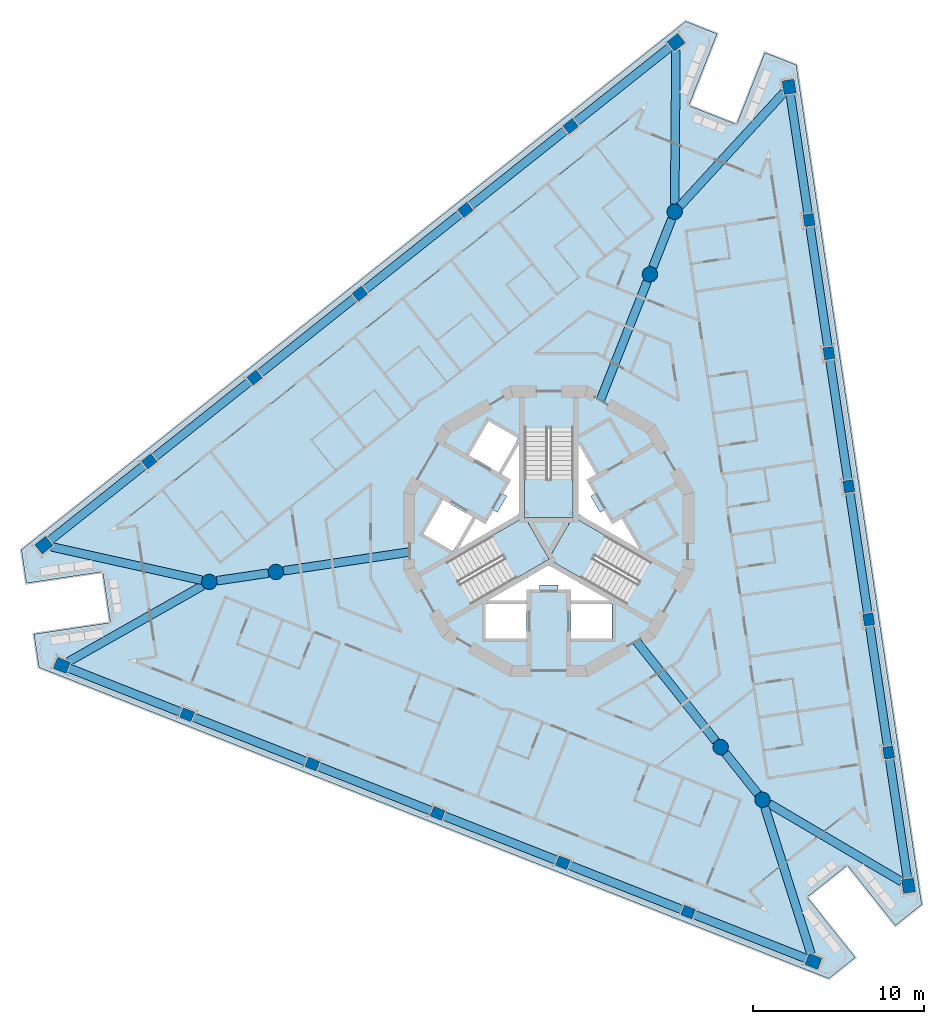
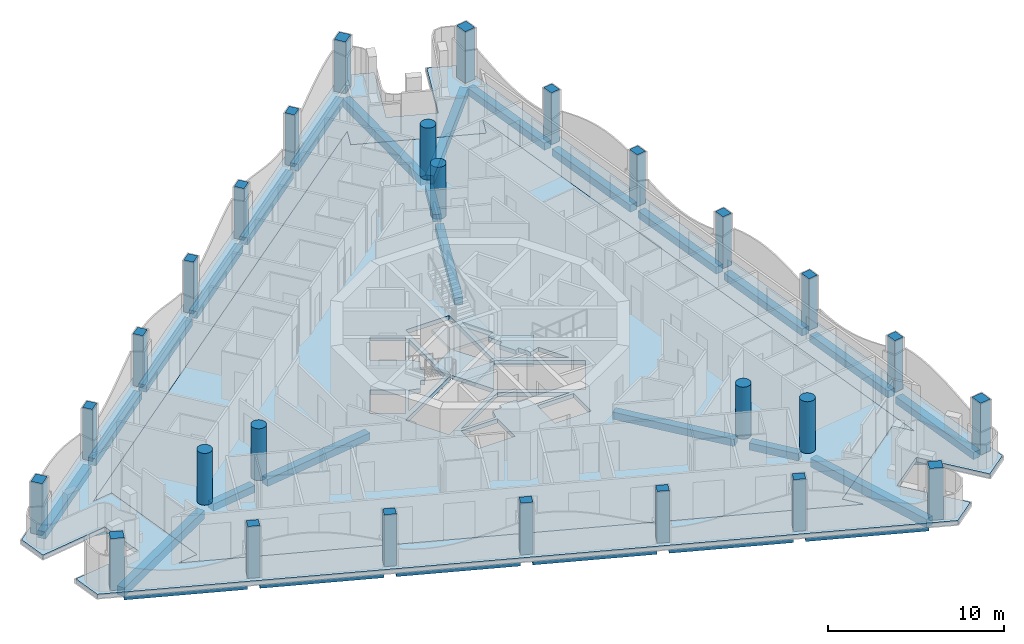
# One storey, part 1 of 17: 30 beams, 27 columns, 6 slabs, 3 elements without a shape of their own.
"""IFC4 building model written with IfcOpenShell, lengths in metres."""

from ifc_helpers import new_model, si_unit, direction, frame, origin, origin_2d, place, context, subcontext, project, spatial, polyline, rectangle, circle, outline, extrude, material, layer, layer_set, material_profile, profile_set, type_object, element, aggregate, save


model = new_model("IFC4")

# Units and contexts
model_context = context("Model", 3, precision=1e-05, world=origin(), true_north=direction((0.0, 1.0)))
body_context = subcontext(model_context, "Body", "Model", "MODEL_VIEW")
ifc_project = project(units=[si_unit("LENGTHUNIT", "METRE"), si_unit("AREAUNIT", "SQUARE_METRE"), si_unit("VOLUMEUNIT", "CUBIC_METRE"), si_unit("PLANEANGLEUNIT", "RADIAN"), si_unit("MASSUNIT", "GRAM", prefix="KILO")], contexts=[model_context])

# Site, building, storey
site_placement = place(None, origin())
site = spatial("IfcSite", under=ifc_project, at=site_placement, CompositionType="ELEMENT")
building_placement = place(site_placement, origin())
building = spatial("IfcBuilding", under=site, at=building_placement, Name="Trine Commons Tower", CompositionType="ELEMENT")
storey_placement = place(building_placement, frame((0.0, 0.0, 208.800048828125)))
storey = spatial("IfcBuildingStorey", under=building, at=storey_placement, Name="L54", CompositionType="ELEMENT", Elevation=208.800048828125)

# Columns
ifc_material_1 = material(Name="Concrete C60/75", Category="concrete")
ifc_material_profile_1 = material_profile(ifc_material_1, rectangle(XDim=0.699951171875, YDim=0.60009765625, at=origin_2d()), Name="RC 700x600")
ifc_profile_set_1 = profile_set([ifc_material_profile_1], Name="Concrete C60/75")
column_type_1 = type_object("IfcColumnType", Name="RC column 700x600, C60/75", PredefinedType="COLUMN", material=ifc_profile_set_1)
for number, where, z_axis, x_axis, name in (
    (1, (88.125, 40.285888671875, 0.0), (0.0, 0.0, 1.0), (-0.930417567982, 0.366501226724, 0.0), "Column PC6-02 L54"),
    (2, (80.82080078125, 43.1630859375, 0.0), (0.0, 0.0, 1.0), (-0.930417567982, 0.366501226724, 0.0), "Column PC6-03 L54"),
    (3, (73.516357421875, 46.04052734375, 0.0), (0.0, 0.0, 1.0), (-0.930417567982, 0.366501226724, 0.0), "Column PC6-04 L54"),
    (4, (66.212158203125, 48.917724609375, 0.0), (0.0, 0.0, 1.0), (-0.930417567982, 0.366501226724, 0.0), "Column PC6-05 L54"),
    (5, (58.90771484375, 51.794921875, 0.0), (0.0, 0.0, 1.0), (-0.930417567982, 0.366501226724, 0.0), "Column PC6-06 L54"),
    (6, (56.699462890625, 66.570556640625, 0.0), (0.0, 0.0, 1.0), (0.782608156852, 0.622514636638, 0.0), "Column PC6-09 L54"),
    (7, (62.843505859375, 71.45751953125, 0.0), (0.0, 0.0, 1.0), (0.782608156852, 0.622514636638, 0.0), "Column PC6-10 L54"),
    (8, (68.9873046875, 76.3447265625, 0.0), (0.0, 0.0, 1.0), (0.782608156852, 0.622514636638, 0.0), "Column PC6-11 L54"),
    (9, (75.13134765625, 81.231689453125, 0.0), (0.0, 0.0, 1.0), (0.782608156852, 0.622514636638, 0.0), "Column PC6-12 L54"),
    (10, (81.275390625, 86.118896484375, 0.0), (0.0, 0.0, 1.0), (0.782608156852, 0.622514636638, 0.0), "Column PC6-13 L54"),
    (11, (95.17529296875, 80.6435546875, 0.0), (0.0, 0.0, 1.0), (-0.14780941113, 0.989015863362, 0.0), "Column PC6-16 L54"),
    (12, (96.335693359375, 72.879150390625, 0.0), (0.0, 0.0, 1.0), (-0.14780941113, 0.989015863362, 0.0), "Column PC6-17 L54"),
    (13, (97.49609375, 65.11474609375, 0.0), (0.0, 0.0, 1.0), (-0.14780941113, 0.989015863362, 0.0), "Column PC6-18 L54"),
    (14, (98.656494140625, 57.350341796875, 0.0), (0.0, 0.0, 1.0), (-0.14780941113, 0.989015863362, 0.0), "Column PC6-19 L54"),
    (15, (99.81689453125, 49.586181640625, 0.0), (0.0, 0.0, 1.0), (-0.14780941113, 0.989015863362, 0.0), "Column PC6-20 L54"),
):
    element("IfcColumn", number, at=place(storey_placement, frame(where, z_axis=z_axis, x_axis=x_axis)), inside=storey, type_object=column_type_1, Name=name, PredefinedType="COLUMN", context=body_context, shape_type="SweptSolid", body=[
        extrude(rectangle(XDim=0.699951171875, YDim=0.60009765625, at=origin_2d()), origin(), (0.0, 0.0, 1.0), 3.599853515625),
    ])
ifc_material_profile_2 = material_profile(ifc_material_1, rectangle(XDim=0.800048828125, YDim=0.699951171875, at=origin_2d()), Name="RC 800x700")
ifc_profile_set_2 = profile_set([ifc_material_profile_2], Name="Concrete C60/75")
column_type_2 = type_object("IfcColumnType", Name="RC column 800x700, C60/75", PredefinedType="COLUMN", material=ifc_profile_set_2)
for number, where, z_axis, x_axis, name in (
    (16, (95.429443359375, 37.40869140625, 0.0), (0.0, 0.0, 1.0), (-0.930417567982, 0.366501226724, 0.0), "Column PC6-01 L54"),
    (17, (51.603515625, 54.67236328125, 0.0), (0.0, 0.0, 1.0), (-0.930417567982, 0.366501226724, 0.0), "Column PC6-07 L54"),
    (18, (50.5556640625, 61.683349609375, 0.0), (0.0, 0.0, 1.0), (0.782608156852, 0.622514636638, 0.0), "Column PC6-08 L54"),
    (19, (87.419189453125, 91.006103515625, 0.0), (0.0, 0.0, 1.0), (0.782608156852, 0.622514636638, 0.0), "Column PC6-14 L54"),
    (20, (94.014892578125, 88.407958984375, 0.0), (0.0, 0.0, 1.0), (-0.14780941113, 0.989015863362, 0.0), "Column PC6-15 L54"),
    (21, (100.977294921875, 41.82177734375, 0.0), (0.0, 0.0, 1.0), (-0.14780941113, 0.989015863362, 0.0), "Column PC6-21 L54"),
):
    element("IfcColumn", number, at=place(storey_placement, frame(where, z_axis=z_axis, x_axis=x_axis)), inside=storey, type_object=column_type_2, Name=name, PredefinedType="COLUMN", context=body_context, shape_type="SweptSolid", body=[
        extrude(rectangle(XDim=0.800048828125, YDim=0.699951171875, at=origin_2d()), origin(), (0.0, 0.0, 1.0), 3.599853515625),
    ])
ifc_material_profile_3 = material_profile(ifc_material_1, circle(Radius=0.449951171875, at=origin_2d()), Name="RC round 900")
ifc_profile_set_3 = profile_set([ifc_material_profile_3], Name="Concrete C60/75")
column_type_3 = type_object("IfcColumnType", Name="RC round column 900 mm, C60/75", PredefinedType="COLUMN", material=ifc_profile_set_3)
for number, where, z_axis, x_axis, name in (
    (22, (90.018798828125, 49.90478515625, 0.0), (0.0, 0.0, 1.0), (1.0, 0.0, 0.0), "Column WC6-1 L54"),
    (23, (92.461669921875, 46.83349609375, 0.0), (0.0, 0.0, 1.0), (1.0, 0.0, 0.0), "Column WC6-2 L54"),
    (24, (85.8984375, 77.47412109375, 0.0), (0.0, 0.0, 1.0), (1.0, 0.0, 0.0), "Column WC6-3 L54"),
    (25, (87.336669921875, 81.125244140625, 0.0), (0.0, 0.0, 1.0), (1.0, 0.0, 0.0), "Column WC6-4 L54"),
    (26, (64.082763671875, 60.12109375, 0.0), (0.0, 0.0, 1.0), (1.0, 0.0, 0.0), "Column WC6-5 L54"),
    (27, (60.20166015625, 59.541015625, 0.0), (0.0, 0.0, 1.0), (1.0, 0.0, 0.0), "Column WC6-6 L54"),
):
    element("IfcColumn", number, at=place(storey_placement, frame(where, z_axis=z_axis, x_axis=x_axis)), inside=storey, type_object=column_type_3, Name=name, PredefinedType="COLUMN", context=body_context, shape_type="SweptSolid", body=[
        extrude(circle(Radius=0.449951171875, at=origin_2d()), origin(), (0.0, 0.0, 1.0), 3.599853515625),
    ])

# Beams
ifc_material_2 = material(Name="Concrete C40/50", Category="concrete")
ifc_material_profile_4 = material_profile(ifc_material_2, rectangle(XDim=0.5, YDim=0.5, at=origin_2d()), Name="RC 500x500")
ifc_profile_set_4 = profile_set([ifc_material_profile_4], Name="Concrete C40/50")
beam_type_1 = type_object("IfcBeamType", Name="RC beam 500x500, C40/50", PredefinedType="BEAM", material=ifc_profile_set_4)
beam_1_placement = place(storey_placement, frame((95.05712890625, 37.555419921875, -0.550048828125), z_axis=(-0.930420117749, 0.366494753699, 0.0), x_axis=(-0.366494753699, -0.930420117749, 0.0)))
element("IfcBeam", 28, at=beam_1_placement, inside=storey, type_object=beam_type_1, Name="Beam EB6-01 L54", PredefinedType="BEAM", context=body_context, shape_type="SweptSolid", body=[
    extrude(rectangle(XDim=0.5, YDim=0.5, at=origin_2d()), origin(), (0.0, 0.0, 1.0), 7.1005859375),
])
for number, where, z_axis, x_axis, name in (
    (29, (87.799560546875, 40.414306640625, -0.550048828125), (-0.93042285796, 0.366487797048, 0.0), (-0.366487797048, -0.93042285796, 0.0), "Beam EB6-02 L54"),
    (30, (80.4951171875, 43.29150390625, -0.550048828125), (-0.93042285796, 0.366487797048, 0.0), (-0.366487797048, -0.93042285796, 0.0), "Beam EB6-03 L54"),
):
    element("IfcBeam", number, at=place(storey_placement, frame(where, z_axis=z_axis, x_axis=x_axis)), inside=storey, type_object=beam_type_1, Name=name, PredefinedType="BEAM", context=body_context, shape_type="SweptSolid", body=[
        extrude(rectangle(XDim=0.5, YDim=0.5, at=origin_2d()), origin(), (0.0, 0.0, 1.0), 7.150634765625),
    ])
beam_2_placement = place(storey_placement, frame((73.19091796875, 46.168701171875, -0.550048828125), z_axis=(-0.930427443561, 0.366476155115, 0.0), x_axis=(-0.366476155115, -0.930427443561, 0.0)))
element("IfcBeam", 31, at=beam_2_placement, inside=storey, type_object=beam_type_1, Name="Beam EB6-04 L54", PredefinedType="BEAM", context=body_context, shape_type="SweptSolid", body=[
    extrude(rectangle(XDim=0.5, YDim=0.5, at=origin_2d()), origin(), (0.0, 0.0, 1.0), 7.15087890625),
])
beam_3_placement = place(storey_placement, frame((65.886474609375, 49.0458984375, -0.550048828125), z_axis=(-0.930411215363, 0.366517353378, 0.0), x_axis=(-0.366517353378, -0.930411215363, 0.0)))
element("IfcBeam", 32, at=beam_3_placement, inside=storey, type_object=beam_type_1, Name="Beam EB6-05 L54", PredefinedType="BEAM", context=body_context, shape_type="SweptSolid", body=[
    extrude(rectangle(XDim=0.5, YDim=0.5, at=origin_2d()), origin(), (0.0, 0.0, 1.0), 7.150634765625),
])
beam_4_placement = place(storey_placement, frame((58.582275390625, 51.92333984375, -0.550048828125), z_axis=(-0.930424735877, 0.366483029441, 0.0), x_axis=(-0.366483029441, -0.930424735877, 0.0)))
element("IfcBeam", 33, at=beam_4_placement, inside=storey, type_object=beam_type_1, Name="Beam EB6-06 L54", PredefinedType="BEAM", context=body_context, shape_type="SweptSolid", body=[
    extrude(rectangle(XDim=0.5, YDim=0.5, at=origin_2d()), origin(), (0.0, 0.0, 1.0), 7.100830078125),
])
beam_5_placement = place(storey_placement, frame((50.86865234375, 61.932373046875, -0.550048828125), z_axis=(0.782606764813, 0.622516386667, 0.0), x_axis=(-0.622516386667, 0.782606764813, 0.0)))
element("IfcBeam", 34, at=beam_5_placement, inside=storey, type_object=beam_type_1, Name="Beam EB6-07 L54", PredefinedType="BEAM", context=body_context, shape_type="SweptSolid", body=[
    extrude(rectangle(XDim=0.5, YDim=0.5, at=origin_2d()), origin(), (0.0, 0.0, 1.0), 7.1005859375),
])
beam_6_placement = place(storey_placement, frame((56.973388671875, 66.788330078125, -0.550048828125), z_axis=(0.78260785881, 0.622515011329, 0.0), x_axis=(-0.622515011329, 0.78260785881, 0.0)))
element("IfcBeam", 35, at=beam_6_placement, inside=storey, type_object=beam_type_1, Name="Beam EB6-08 L54", PredefinedType="BEAM", context=body_context, shape_type="SweptSolid", body=[
    extrude(rectangle(XDim=0.5, YDim=0.5, at=origin_2d()), origin(), (0.0, 0.0, 1.0), 7.150634765625),
])
beam_7_placement = place(storey_placement, frame((63.117431640625, 71.675537109375, -0.550048828125), z_axis=(0.782611261581, 0.622510733439, 0.0), x_axis=(-0.622510733439, 0.782611261581, 0.0)))
element("IfcBeam", 36, at=beam_7_placement, inside=storey, type_object=beam_type_1, Name="Beam EB6-09 L54", PredefinedType="BEAM", context=body_context, shape_type="SweptSolid", body=[
    extrude(rectangle(XDim=0.5, YDim=0.5, at=origin_2d()), origin(), (0.0, 0.0, 1.0), 7.150390625),
])
for number, where, z_axis, x_axis, name in (
    (37, (69.26123046875, 76.5625, -0.550048828125), (0.78260785881, 0.622515011329, 0.0), (-0.622515011329, 0.78260785881, 0.0), "Beam EB6-10 L54"),
    (38, (75.4052734375, 81.44970703125, -0.550048828125), (0.782624492464, 0.622494099407, 0.0), (-0.622494099407, 0.782624492464, 0.0), "Beam EB6-11 L54"),
):
    element("IfcBeam", number, at=place(storey_placement, frame(where, z_axis=z_axis, x_axis=x_axis)), inside=storey, type_object=beam_type_1, Name=name, PredefinedType="BEAM", context=body_context, shape_type="SweptSolid", body=[
        extrude(rectangle(XDim=0.5, YDim=0.5, at=origin_2d()), origin(), (0.0, 0.0, 1.0), 7.150634765625),
    ])
beam_8_placement = place(storey_placement, frame((81.54931640625, 86.3369140625, -0.550048828125), z_axis=(0.782606764813, 0.622516386667, 0.0), x_axis=(-0.622516386667, 0.782606764813, 0.0)))
element("IfcBeam", 39, at=beam_8_placement, inside=storey, type_object=beam_type_1, Name="Beam EB6-12 L54", PredefinedType="BEAM", context=body_context, shape_type="SweptSolid", body=[
    extrude(rectangle(XDim=0.5, YDim=0.5, at=origin_2d()), origin(), (0.0, 0.0, 1.0), 7.1005859375),
])
beam_9_placement = place(storey_placement, frame((94.07421875, 88.01220703125, -0.550048828125), z_axis=(0.147815848306, -0.989014901298, 0.0), x_axis=(0.989014901298, 0.147815848306, 0.0)))
element("IfcBeam", 40, at=beam_9_placement, inside=storey, type_object=beam_type_1, Name="Beam EB6-13 L54", PredefinedType="BEAM", context=body_context, shape_type="SweptSolid", body=[
    extrude(rectangle(XDim=0.5, YDim=0.5, at=origin_2d()), origin(), (0.0, 0.0, 1.0), 7.100341796875),
])
for number, where, z_axis, x_axis, name in (
    (41, (95.22705078125, 80.29736328125, -0.550048828125), (0.147804496566, -0.989016597836, 0.0), (0.989016597836, 0.147804496566, 0.0), "Beam EB6-14 L54"),
    (42, (96.387451171875, 72.532958984375, -0.550048828125), (0.147804496566, -0.989016597836, 0.0), (0.989016597836, 0.147804496566, 0.0), "Beam EB6-15 L54"),
    (43, (97.5478515625, 64.7685546875, -0.550048828125), (0.147804496566, -0.989016597836, 0.0), (0.989016597836, 0.147804496566, 0.0), "Beam EB6-16 L54"),
):
    element("IfcBeam", number, at=place(storey_placement, frame(where, z_axis=z_axis, x_axis=x_axis)), inside=storey, type_object=beam_type_1, Name=name, PredefinedType="BEAM", context=body_context, shape_type="SweptSolid", body=[
        extrude(rectangle(XDim=0.5, YDim=0.5, at=origin_2d()), origin(), (0.0, 0.0, 1.0), 7.150634765625),
    ])
beam_10_placement = place(storey_placement, frame((98.708251953125, 57.004150390625, -0.550048828125), z_axis=(0.147809487776, -0.989015851907, 0.0), x_axis=(0.989015851907, 0.147809487776, 0.0)))
element("IfcBeam", 44, at=beam_10_placement, inside=storey, type_object=beam_type_1, Name="Beam EB6-17 L54", PredefinedType="BEAM", context=body_context, shape_type="SweptSolid", body=[
    extrude(rectangle(XDim=0.5, YDim=0.5, at=origin_2d()), origin(), (0.0, 0.0, 1.0), 7.150390625),
])
beam_11_placement = place(storey_placement, frame((99.86865234375, 49.239990234375, -0.550048828125), z_axis=(0.14781082184, -0.989015652529, 0.0), x_axis=(0.989015652529, 0.14781082184, 0.0)))
element("IfcBeam", 45, at=beam_11_placement, inside=storey, type_object=beam_type_1, Name="Beam EB6-18 L54", PredefinedType="BEAM", context=body_context, shape_type="SweptSolid", body=[
    extrude(rectangle(XDim=0.5, YDim=0.5, at=origin_2d()), origin(), (0.0, 0.0, 1.0), 7.1005859375),
])
beam_12_placement = place(storey_placement, frame((85.101318359375, 56.0869140625, -0.550048828125), z_axis=(0.622498476125, -0.782621011232, 0.0), x_axis=(0.782621011232, 0.622498476125, 0.0)))
element("IfcBeam", 46, at=beam_12_placement, inside=storey, type_object=beam_type_1, Name="Beam RB6-01 L54", PredefinedType="BEAM", context=body_context, shape_type="SweptSolid", body=[
    extrude(rectangle(XDim=0.5, YDim=0.5, at=origin_2d()), origin(), (0.0, 0.0, 1.0), 7.44970703125),
])
beam_13_placement = place(storey_placement, frame((90.298583984375, 49.552734375, -0.550048828125), z_axis=(0.622497726794, -0.782621607251, 0.0), x_axis=(0.782621607251, 0.622497726794, 0.0)))
element("IfcBeam", 47, at=beam_13_placement, inside=storey, type_object=beam_type_1, Name="Beam RB6-02 L54", PredefinedType="BEAM", context=body_context, shape_type="SweptSolid", body=[
    extrude(rectangle(XDim=0.5, YDim=0.5, at=origin_2d()), origin(), (0.0, 0.0, 1.0), 3.02490234375),
])
beam_14_placement = place(storey_placement, frame((83.00341796875, 70.12451171875, -0.550048828125), z_axis=(0.366497867563, 0.930418891184, 0.0), x_axis=(-0.930418891184, 0.366497867563, 0.0)))
element("IfcBeam", 48, at=beam_14_placement, inside=storey, type_object=beam_type_1, Name="Beam RB6-03 L54", PredefinedType="BEAM", context=body_context, shape_type="SweptSolid", body=[
    extrude(rectangle(XDim=0.5, YDim=0.5, at=origin_2d()), origin(), (0.0, 0.0, 1.0), 7.449462890625),
])
beam_15_placement = place(storey_placement, frame((86.063232421875, 77.892578125, -0.550048828125), z_axis=(0.366528753051, 0.930406724603, 0.0), x_axis=(-0.930406724603, 0.366528753051, 0.0)))
element("IfcBeam", 49, at=beam_15_placement, inside=storey, type_object=beam_type_1, Name="Beam RB6-04 L54", PredefinedType="BEAM", context=body_context, shape_type="SweptSolid", body=[
    extrude(rectangle(XDim=0.5, YDim=0.5, at=origin_2d()), origin(), (0.0, 0.0, 1.0), 3.024658203125),
])
beam_16_placement = place(storey_placement, frame((71.8955078125, 61.288818359375, -0.550048828125), z_axis=(-0.989013138411, -0.147827643054, 0.0), x_axis=(0.147827643054, -0.989013138411, 0.0)))
element("IfcBeam", 50, at=beam_16_placement, inside=storey, type_object=beam_type_1, Name="Beam RB6-05 L54", PredefinedType="BEAM", context=body_context, shape_type="SweptSolid", body=[
    extrude(rectangle(XDim=0.5, YDim=0.5, at=origin_2d()), origin(), (0.0, 0.0, 1.0), 7.449951171875),
])
beam_17_placement = place(storey_placement, frame((63.63818359375, 60.0546875, -0.550048828125), z_axis=(-0.989011987503, -0.14783534278, 0.0), x_axis=(0.14783534278, -0.989011987503, 0.0)))
element("IfcBeam", 51, at=beam_17_placement, inside=storey, type_object=beam_type_1, Name="Beam RB6-06 L54", PredefinedType="BEAM", context=body_context, shape_type="SweptSolid", body=[
    extrude(rectangle(XDim=0.5, YDim=0.5, at=origin_2d()), origin(), (0.0, 0.0, 1.0), 3.025390625),
])
ifc_material_profile_5 = material_profile(ifc_material_2, rectangle(XDim=0.5, YDim=0.60009765625, at=origin_2d()), Name="RC 500x600")
ifc_profile_set_5 = profile_set([ifc_material_profile_5], Name="Concrete C40/50")
beam_type_2 = type_object("IfcBeamType", Name="RC beam 500x600, C40/50", PredefinedType="BEAM", material=ifc_profile_set_5)
for number, where, z_axis, x_axis, name in (
    (52, (51.9951171875, 54.89404296875, -0.60009765625), (0.870168672724, 0.492753976148, 0.0), (-0.492753976148, 0.870168672724, 0.0), "Beam CB6-01 L54"),
    (53, (50.9951171875, 61.585693359375, -0.60009765625), (0.976218391118, -0.216789420505, 0.0), (0.216789420505, 0.976218391118, 0.0), "Beam CB6-02 L54"),
):
    element("IfcBeam", number, at=place(storey_placement, frame(where, z_axis=z_axis, x_axis=x_axis)), inside=storey, type_object=beam_type_2, Name=name, PredefinedType="BEAM", context=body_context, shape_type="SweptSolid", body=[
        extrude(rectangle(XDim=0.5, YDim=0.60009765625, at=origin_2d()), origin(), (0.0, 0.0, 1.0), 8.981201171875),
    ])
beam_18_placement = place(storey_placement, frame((87.41552734375, 90.555908203125, -0.60009765625), z_axis=(-0.008345502486, -0.999965175688, 0.0), x_axis=(0.999965175688, -0.008345502486, 0.0)))
element("IfcBeam", 54, at=beam_18_placement, inside=storey, type_object=beam_type_2, Name="Beam CB6-03 L54", PredefinedType="BEAM", context=body_context, shape_type="SweptSolid", body=[
    extrude(rectangle(XDim=0.5, YDim=0.60009765625, at=origin_2d()), origin(), (0.0, 0.0, 1.0), 8.98095703125),
])
beam_19_placement = place(storey_placement, frame((93.710693359375, 88.076171875, -0.60009765625), z_axis=(-0.675864939366, -0.737025497344, 0.0), x_axis=(0.737025497344, -0.675864939366, 0.0)))
element("IfcBeam", 55, at=beam_19_placement, inside=storey, type_object=beam_type_2, Name="Beam CB6-04 L54", PredefinedType="BEAM", context=body_context, shape_type="SweptSolid", body=[
    extrude(rectangle(XDim=0.5, YDim=0.60009765625, at=origin_2d()), origin(), (0.0, 0.0, 1.0), 8.9814453125),
])
for number, where, z_axis, x_axis, name in (
    (56, (100.58935546875, 42.050048828125, -0.60009765625), (-0.861820288966, 0.507213751319, 0.0), (-0.507213751319, -0.861820288966, 0.0), "Beam CB6-05 L54"),
    (57, (95.294189453125, 37.838134765625, -0.60009765625), (-0.300354576277, 0.953827619913, 0.0), (-0.953827619913, -0.300354576277, 0.0), "Beam CB6-06 L54"),
):
    element("IfcBeam", number, at=place(storey_placement, frame(where, z_axis=z_axis, x_axis=x_axis)), inside=storey, type_object=beam_type_2, Name=name, PredefinedType="BEAM", context=body_context, shape_type="SweptSolid", body=[
        extrude(rectangle(XDim=0.5, YDim=0.60009765625, at=origin_2d()), origin(), (0.0, 0.0, 1.0), 8.981201171875),
    ])

# Slabs
ifc_layer_1 = layer(ifc_material_2, 0.300048828125)
ifc_layer_set_1 = layer_set([ifc_layer_1], Name="Concrete C40/50")
slab_type_1 = type_object("IfcSlabType", Name="Loggia slab 300 mm, C40/50", PredefinedType="FLOOR", material=ifc_layer_set_1)
slab_1_placement = place(storey_placement, frame((0.0, 0.0, -0.300048828125)))
element("IfcSlab", 58, at=slab_1_placement, inside=storey, type_object=slab_type_1, Name="Loggia slab L54", PredefinedType="FLOOR", context=body_context, shape_type="SweptSolid", body=[
    extrude(outline(polyline([(101.748046875, 40.7236328125), (94.430908203125, 89.683349609375), (92.603515625, 90.4033203125), (90.954345703125, 86.21630859375), (88.1630859375, 87.31591796875), (89.812255859375, 91.502685546875), (87.98486328125, 92.22265625), (49.242919921875, 61.406005859375), (49.533203125, 59.46337890625), (53.98388671875, 60.12841796875), (54.42724609375, 57.16162109375), (49.976806640625, 56.496337890625), (50.26708984375, 54.5537109375), (96.325927734375, 36.41064453125), (97.86328125, 37.63330078125), (95.061767578125, 41.155029296875), (97.40966796875, 43.022705078125), (100.2109375, 39.5009765625), (101.748046875, 40.7236328125)]), holes=[polyline([(56.002685546875, 62.85693359375), (57.15576171875, 55.142578125), (55.825439453125, 54.94384765625), (92.52685546875, 40.48681640625), (91.689453125, 41.539306640625), (97.7939453125, 46.39501953125), (98.631103515625, 45.34228515625), (92.80078125, 84.355224609375), (92.3076171875, 83.103759765625), (85.050537109375, 85.96240234375), (85.54345703125, 87.2138671875), (54.672607421875, 62.658203125), (56.002685546875, 62.85693359375)])]), origin(), (0.0, 0.0, 1.0), 0.300048828125),
])
ifc_layer_2 = layer(ifc_material_2, 0.300048828125)
ifc_layer_set_2 = layer_set([ifc_layer_2], Name="Concrete C40/50")
slab_type_2 = type_object("IfcSlabType", Name="PT flat slab 300 mm, C40/50", PredefinedType="FLOOR", material=ifc_layer_set_2)
slab_2_placement = place(storey_placement, frame((0.0, 0.0, -0.300048828125)))
element("IfcSlab", 59, at=slab_2_placement, inside=storey, type_object=slab_type_2, Name="Floor slab L54", PredefinedType="FLOOR", context=body_context, shape_type="SweptSolid", body=[
    extrude(outline(polyline([(54.672607421875, 62.658203125), (56.002685546875, 62.85693359375), (57.15576171875, 55.142578125), (55.825439453125, 54.94384765625), (92.52685546875, 40.48681640625), (91.689453125, 41.539306640625), (97.7939453125, 46.39501953125), (98.631103515625, 45.34228515625), (92.80078125, 84.355224609375), (92.3076171875, 83.103759765625), (85.050537109375, 85.96240234375), (85.54345703125, 87.2138671875), (54.672607421875, 62.658203125)]), holes=[polyline([(78.699951171875, 56.25), (78.699951171875, 58.25), (76.300048828125, 58.25), (76.300048828125, 56.25), (78.699951171875, 56.25)]), polyline([(83.699951171875, 56.25), (83.699951171875, 58.25), (81.300048828125, 58.25), (81.300048828125, 56.25), (83.699951171875, 56.25)]), polyline([(81.300048828125, 58.449951171875), (83.56494140625, 58.449951171875), (80.0, 60.508056640625), (76.43505859375, 58.449951171875), (78.699951171875, 58.449951171875), (78.85009765625, 59.10009765625), (79.449951171875, 59.10009765625), (79.449951171875, 59.360107421875), (80.550048828125, 59.360107421875), (80.550048828125, 59.10009765625), (81.14990234375, 59.10009765625), (81.300048828125, 58.449951171875)]), polyline([(81.425048828125, 63.32275390625), (81.425048828125, 68.490478515625), (78.574951171875, 68.490478515625), (78.574951171875, 63.32275390625), (74.099609375, 60.73876953125), (75.5244140625, 58.2705078125), (80.0, 60.8544921875), (84.4755859375, 58.2705078125), (85.900390625, 60.73876953125), (81.425048828125, 63.32275390625)]), polyline([(72.687255859375, 62.333984375), (74.41943359375, 61.333984375), (75.5693359375, 63.325927734375), (73.83740234375, 64.325927734375), (72.687255859375, 62.333984375)]), polyline([(76.381103515625, 63.031005859375), (75.742919921875, 63.22607421875), (74.7099609375, 61.43798828125), (78.27490234375, 63.49609375), (78.27490234375, 67.612060546875), (77.242919921875, 65.823974609375), (77.73095703125, 65.368896484375), (77.3310546875, 64.676025390625), (77.555908203125, 64.5458984375), (77.006103515625, 63.593994140625), (76.781005859375, 63.722900390625), (76.381103515625, 63.031005859375)]), polyline([(82.993896484375, 63.593994140625), (82.444091796875, 64.5458984375), (82.72705078125, 64.7099609375), (82.281005859375, 65.549072265625), (82.757080078125, 65.823974609375), (81.72509765625, 67.612060546875), (81.72509765625, 63.49609375), (85.2900390625, 61.43798828125), (84.257080078125, 63.22607421875), (83.618896484375, 63.031005859375), (83.243896484375, 63.738037109375), (82.993896484375, 63.593994140625)]), polyline([(76.4873046875, 68.916015625), (75.33740234375, 66.924072265625), (77.0693359375, 65.924072265625), (78.219482421875, 67.916015625), (76.4873046875, 68.916015625)])]), origin(), (0.0, 0.0, 1.0), 0.300048828125),
])
slab_3_placement = place(storey_placement, frame((0.0, 0.0, -0.300048828125)))
element("IfcSlab", 60, at=slab_3_placement, inside=storey, type_object=slab_type_2, Name="Floor slab L54 2", PredefinedType="FLOOR", context=body_context, shape_type="SweptSolid", body=[
    extrude(outline(polyline([(81.38671875, 63.300537109375), (78.61328125, 63.300537109375), (80.0, 60.89892578125), (81.38671875, 63.300537109375)])), origin(), (0.0, 0.0, 1.0), 0.300048828125),
])

# Stair, slab
ifc_material_3 = material(Name="Concrete C50/60", Category="concrete")
stair_type = type_object("IfcStairType", Name="Exit stair, dog-leg, 24 risers of 150 mm", PredefinedType="HALF_TURN_STAIR", material=ifc_material_3)
stair_1_placement = place(storey_placement, origin())
stair_1 = element("IfcStair", 61, at=stair_1_placement, inside=storey, type_object=stair_type, Name="L54 Exit stair ST1C", PredefinedType="HALF_TURN_STAIR")
ifc_layer_3 = layer(ifc_material_3, 0.199951171875)
ifc_layer_set_3 = layer_set([ifc_layer_3], Name="Concrete C50/60")
slab_type_3 = type_object("IfcSlabType", Name="Stair landing slab 200 mm, C50/60", PredefinedType="LANDING", material=ifc_layer_set_3)
slab_4_placement = place(storey_placement, frame((0.0, 0.0, 1.599853515625)))
slab_4 = element("IfcSlab", 62, at=slab_4_placement, type_object=slab_type_3, Name="ST1C landing 1", PredefinedType="LANDING", context=body_context, shape_type="SweptSolid", body=[
    extrude(outline(polyline([(78.574951171875, 65.570556640625), (78.574951171875, 63.300537109375), (81.425048828125, 63.300537109375), (81.425048828125, 65.570556640625), (78.574951171875, 65.570556640625)])), origin(), (0.0, 0.0, 1.0), 0.2001953125),
])
aggregate(stair_1, [slab_4])

stair_2_placement = place(storey_placement, origin())
stair_2 = element("IfcStair", 63, at=stair_2_placement, inside=storey, type_object=stair_type, Name="L54 Exit stair ST2C", PredefinedType="HALF_TURN_STAIR")
slab_5_placement = place(storey_placement, frame((0.0, 0.0, 1.599853515625)))
slab_5 = element("IfcSlab", 64, at=slab_5_placement, type_object=slab_type_3, Name="ST2C landing 1", PredefinedType="LANDING", context=body_context, shape_type="SweptSolid", body=[
    extrude(outline(polyline([(78.05322265625, 59.730712890625), (80.019287109375, 60.86572265625), (78.59423828125, 63.333740234375), (76.628173828125, 62.19873046875), (78.05322265625, 59.730712890625)])), origin(), (0.0, 0.0, 1.0), 0.2001953125),
])
aggregate(stair_2, [slab_5])

stair_3_placement = place(storey_placement, origin())
stair_3 = element("IfcStair", 65, at=stair_3_placement, inside=storey, type_object=stair_type, Name="L54 Exit stair ST3C", PredefinedType="HALF_TURN_STAIR")
slab_6_placement = place(storey_placement, frame((0.0, 0.0, 1.599853515625)))
slab_6 = element("IfcSlab", 66, at=slab_6_placement, type_object=slab_type_3, Name="ST3C landing 1", PredefinedType="LANDING", context=body_context, shape_type="SweptSolid", body=[
    extrude(outline(polyline([(83.371826171875, 62.19873046875), (81.40576171875, 63.333740234375), (79.980712890625, 60.86572265625), (81.94677734375, 59.730712890625), (83.371826171875, 62.19873046875)])), origin(), (0.0, 0.0, 1.0), 0.2001953125),
])
aggregate(stair_3, [slab_6])

save(model, "model.ifc")
